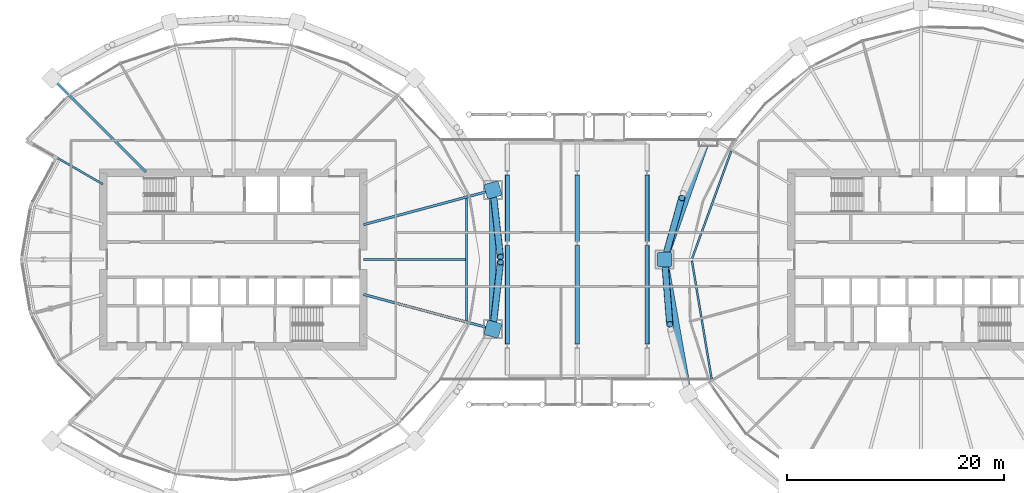
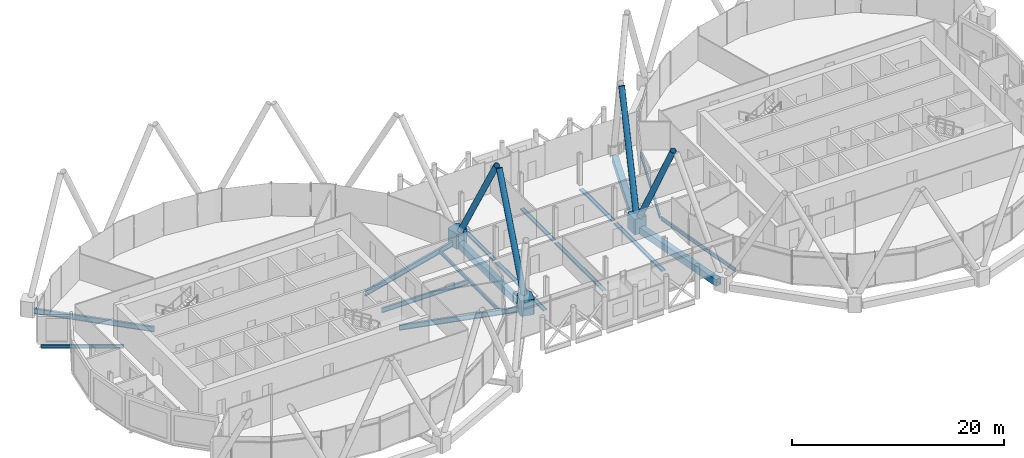
# One storey, part 8 of 35: 17 beams, 7 members.
"""IFC4 building model written with IfcOpenShell, lengths in metres."""

import ifcopenshell
import ifcopenshell.guid

model = None  # the IFC model being written
_history = None  # IfcOwnerHistory: only IFC2X3 demands one
_inside = {}  # id of a spatial element -> (the spatial element, [elements in it])
_under = {}  # id of a project, library or spatial element -> (it, [spatial elements below it])
_declared = {}  # id of a project -> (the project, [libraries it declares])
_typed = {}  # id of a type object -> (the type object, [elements of that type])
_made_of = {}  # id of a material, layer set ... -> (it, [elements and type objects made of it])


def new_model(schema):
    """Start an empty IFC model of exactly this schema.

    Asked for "IFC4X3", IfcOpenShell would pick the latest addendum, in which some entities
    have other attributes; the version numbers below select the first issue.
    IFC2X3 requires an IfcOwnerHistory on every rooted entity: one is made here for all.
    """
    global model, _history
    if schema == "IFC4X3":
        model = ifcopenshell.file(schema_version=(4, 3, 0, 0))
    else:
        model = ifcopenshell.file(schema=schema)
    _inside.clear()
    _under.clear()
    _declared.clear()
    _typed.clear()
    _made_of.clear()
    _history = None
    if model.schema == "IFC2X3":
        org = make("IfcOrganization", Name="unknown")
        user = make(
            "IfcPersonAndOrganization",
            ThePerson=make("IfcPerson", FamilyName="unknown"),
            TheOrganization=org,
        )
        app = make(
            "IfcApplication",
            ApplicationDeveloper=org,
            Version="unknown",
            ApplicationFullName="unknown",
            ApplicationIdentifier="unknown",
        )
        _history = make(
            "IfcOwnerHistory",
            OwningUser=user,
            OwningApplication=app,
            ChangeAction="ADDED",
            CreationDate=0,
        )
    return model


def make(cls, **values):
    """One entity of the class cls with the attributes given. An attribute that is None is left unset."""
    return model.create_entity(
        cls, **{name: value for name, value in values.items() if value is not None}
    )


def rooted(cls, **values):
    """An entity with a GlobalId (a new one), such as an element, a storey or a relation."""
    return make(cls, GlobalId=ifcopenshell.guid.new(), OwnerHistory=_history, **values)


def si_unit(unit_type, name, prefix=None):
    """IfcSIUnit, for example si_unit("LENGTHUNIT", "METRE", prefix="MILLI")."""
    return make("IfcSIUnit", UnitType=unit_type, Prefix=prefix, Name=name)


def assignment(units):
    """IfcUnitAssignment: the units of a project."""
    return None if units is None else make("IfcUnitAssignment", Units=units)


def point(xyz):
    """IfcCartesianPoint."""
    return None if xyz is None else make("IfcCartesianPoint", Coordinates=xyz)


def direction(xyz):
    """IfcDirection."""
    return None if xyz is None else make("IfcDirection", DirectionRatios=xyz)


def frame(location, z_axis=None, x_axis=None):
    """IfcAxis2Placement3D, a coordinate frame: its origin and axes. An axis left out is left unset."""
    return make(
        "IfcAxis2Placement3D",
        Location=point(location),
        Axis=direction(z_axis),
        RefDirection=direction(x_axis),
    )


def frame_2d(location, x_axis=None):
    """IfcAxis2Placement2D, a coordinate frame in the plane: its origin and x axis."""
    return make(
        "IfcAxis2Placement2D", Location=point(location), RefDirection=direction(x_axis)
    )


def origin():
    """The frame at (0, 0, 0) with its axes left unset."""
    return frame((0.0, 0.0, 0.0))


def origin_2d():
    """The frame at (0, 0) in the plane with its x axis left unset."""
    return frame_2d((0.0, 0.0))


def place(relative_to, where):
    """IfcLocalPlacement: puts the frame where relative to a parent placement (None: the world)."""
    return make(
        "IfcLocalPlacement", PlacementRelTo=relative_to, RelativePlacement=where
    )


def context(
    kind, dimensions, precision=None, world=None, true_north=None, identifier=None
):
    """IfcGeometricRepresentationContext, for example the 3D "Model" context."""
    return make(
        "IfcGeometricRepresentationContext",
        ContextIdentifier=identifier,
        ContextType=kind,
        CoordinateSpaceDimension=dimensions,
        Precision=precision,
        WorldCoordinateSystem=world,
        TrueNorth=true_north,
    )


def subcontext(parent, identifier, kind, view, scale=None):
    """IfcGeometricRepresentationSubContext, for example "Body" below "Model"."""
    return make(
        "IfcGeometricRepresentationSubContext",
        ContextIdentifier=identifier,
        ContextType=kind,
        ParentContext=parent,
        TargetScale=scale,
        TargetView=view,
    )


def project(units=None, contexts=None):
    """IfcProject with its units and contexts."""
    return rooted(
        "IfcProject",
        Name="project",
        RepresentationContexts=contexts,
        UnitsInContext=assignment(units),
    )


def spatial(cls, under=None, at=None, **own):
    """A site, building, storey or space (cls), placed at a placement, below another one or the project."""
    s = rooted(cls, ObjectPlacement=at, **own)
    if under is not None:
        _under.setdefault(under.id(), (under, []))[1].append(s)
    return s


def polyline(points):
    """IfcPolyline through the points."""
    return make("IfcPolyline", Points=[point(p) for p in points])


def profile(cls, at=None, kind="AREA", **sizes):
    """A parametric profile (cls). Its sizes go by their IFC names, for example OverallWidth=200.0."""
    return make(cls, ProfileType=kind, Position=at, **sizes)


def hollow_rectangle(**sizes):
    """IfcRectangleHollowProfileDef."""
    return profile("IfcRectangleHollowProfileDef", **sizes)


def hollow_circle(**sizes):
    """IfcCircleHollowProfileDef."""
    return profile("IfcCircleHollowProfileDef", **sizes)


def i_section(**sizes):
    """IfcIShapeProfileDef."""
    return profile("IfcIShapeProfileDef", **sizes)


def outline(outer, holes=None, kind="AREA"):
    """IfcArbitraryClosedProfileDef: a profile drawn as a closed curve; with holes, ...WithVoids."""
    if holes is None:
        return make("IfcArbitraryClosedProfileDef", ProfileType=kind, OuterCurve=outer)
    return make(
        "IfcArbitraryProfileDefWithVoids",
        ProfileType=kind,
        OuterCurve=outer,
        InnerCurves=holes,
    )


def extrude(swept, where, along, depth):
    """IfcExtrudedAreaSolid: the profile swept, set in the frame where, extruded along a direction by depth."""
    return make(
        "IfcExtrudedAreaSolid",
        SweptArea=swept,
        Position=where,
        ExtrudedDirection=direction(along),
        Depth=depth,
    )


def shape(context_of_items, identifier, shape_type, items):
    """IfcShapeRepresentation: the items that make up one representation, for example the "Body"."""
    return make(
        "IfcShapeRepresentation",
        ContextOfItems=context_of_items,
        RepresentationIdentifier=identifier,
        RepresentationType=shape_type,
        Items=items,
    )


def material(Name=None, Category=None):
    """IfcMaterial."""
    return make("IfcMaterial", Name=Name, Category=Category)


def material_profile(
    of_material, cross_section, Name=None, Category=None, Priority=None
):
    """IfcMaterialProfile: a cross section and its material."""
    return make(
        "IfcMaterialProfile",
        Name=Name,
        Material=of_material,
        Profile=cross_section,
        Priority=Priority,
        Category=Category,
    )


def profile_set(profiles, Name=None, composite=None):
    """IfcMaterialProfileSet."""
    return make(
        "IfcMaterialProfileSet",
        Name=Name,
        MaterialProfiles=profiles,
        CompositeProfile=composite,
    )


def made_of(thing, what):
    """Note that an element or type object is made of a material, layer set ...; save() writes the relation."""
    if what is not None:
        _made_of.setdefault(what.id(), (what, []))[1].append(thing)
    return thing


def type_object(cls, material=None, **own):
    """A type object (cls), such as IfcWallType, which elements share."""
    return made_of(rooted(cls, **own), material)


def element(
    cls,
    number,
    at=None,
    inside=None,
    cuts=None,
    type_object=None,
    material=None,
    context=None,
    identifier="Body",
    shape_type=None,
    held_by="IfcProductDefinitionShape",
    body=None,
    shapes=None,
    **own,
):
    """One element of the class cls, such as IfcWall. Its Tag is "e" and its number.

    at: its placement. inside: the storey or other place that contains it. cuts: it is an
    opening in that element (IfcRelVoidsElement). A single representation is given by context,
    identifier, shape_type and body (its items); several are given by shapes. held_by: the class
    of the entity that holds the representations. save() writes the other relations.
    """
    e = rooted(cls, Tag="e%d" % number, ObjectPlacement=at, **own)
    if body is not None:
        shapes = [shape(context, identifier, shape_type, body)]
    if shapes is not None:
        e.Representation = make(held_by, Representations=shapes)
    if inside is not None:
        _inside.setdefault(inside.id(), (inside, []))[1].append(e)
    if cuts is not None:
        rooted(
            "IfcRelVoidsElement", RelatingBuildingElement=cuts, RelatedOpeningElement=e
        )
    if type_object is not None:
        _typed.setdefault(type_object.id(), (type_object, []))[1].append(e)
    return made_of(e, material)


def aggregate(whole, parts):
    """IfcRelAggregates: a whole, such as a stair, and the parts it consists of."""
    return rooted("IfcRelAggregates", RelatingObject=whole, RelatedObjects=parts)


def save(model, path):
    """Write the relations noted so far, then the file.

    IfcRelAggregates (storeys below a building ...), IfcRelContainedInSpatialStructure (elements
    in a storey), IfcRelDefinesByType, IfcRelAssociatesMaterial and IfcRelDeclares: one each for
    every whole, place, type object, material and project.
    """
    for whole, parts in _under.values():
        aggregate(whole, parts)
    for where, things in _inside.values():
        rooted(
            "IfcRelContainedInSpatialStructure",
            RelatedElements=things,
            RelatingStructure=where,
        )
    for kind, things in _typed.values():
        rooted("IfcRelDefinesByType", RelatedObjects=things, RelatingType=kind)
    for what, things in _made_of.values():
        rooted("IfcRelAssociatesMaterial", RelatedObjects=things, RelatingMaterial=what)
    for by, libraries in _declared.values():
        rooted("IfcRelDeclares", RelatingContext=by, RelatedDefinitions=libraries)
    model.write(path)


model = new_model("IFC4")

# Units and contexts
model_context = context("Model", 3, precision=1e-05, world=origin(), true_north=direction((0.0, 1.0)))
body_context = subcontext(model_context, "Body", "Model", "MODEL_VIEW")
ifc_project = project(units=[si_unit("LENGTHUNIT", "METRE"), si_unit("AREAUNIT", "SQUARE_METRE"), si_unit("VOLUMEUNIT", "CUBIC_METRE"), si_unit("PLANEANGLEUNIT", "RADIAN"), si_unit("MASSUNIT", "GRAM", prefix="KILO")], contexts=[model_context])

# Site, building, storey
site_placement = place(None, origin())
site = spatial("IfcSite", under=ifc_project, at=site_placement, CompositionType="ELEMENT")
building_placement = place(site_placement, origin())
building = spatial("IfcBuilding", under=site, at=building_placement, Name="Rimbun Link Towers", CompositionType="ELEMENT")
storey_placement = place(building_placement, frame((0.0, 0.0, 146.800048828125)))
storey = spatial("IfcBuildingStorey", under=building, at=storey_placement, Name="L35", CompositionType="ELEMENT", Elevation=146.800048828125)

# Members
ifc_material_1 = material(Name="Steel S355J2H", Category="steel")
ifc_material_profile_1 = material_profile(ifc_material_1, hollow_circle(Radius=0.3046875, WallThickness=0.02490234375, at=origin_2d()), Name="Diagrid diagonal CHS 610x25")
ifc_profile_set_1 = profile_set([ifc_material_profile_1], Name="Steel S355J2H")
member_type_1 = type_object("IfcMemberType", Name="Diagrid diagonal CHS 610x25", PredefinedType="BRACE", material=ifc_profile_set_1)
for number, where, z_axis, x_axis, name in (
    (1, (-7.757080078125, 6.187744140625, 0.44091796875), (0.052446881444, -0.468144088903, 0.882094346797), (0.993782934456, 0.111334986342, 0.0), "Diagrid diagonal T1 L35-L38 01a"),
    (2, (-7.757080078125, -6.187744140625, 0.44091796875), (0.052446881444, 0.468144088903, 0.882094346797), (-0.993782934456, 0.111334986342, 0.0), "Diagrid diagonal T1 L35-L38 23b"),
):
    element("IfcMember", number, at=place(storey_placement, frame(where, z_axis=z_axis, x_axis=x_axis)), inside=storey, type_object=member_type_1, Name=name, PredefinedType="BRACE", context=body_context, shape_type="SweptSolid", body=[
        extrude(hollow_circle(Radius=0.3046875, WallThickness=0.02490234375, at=origin_2d()), origin(), (0.0, 0.0, 1.0), 12.717529296875),
    ])
member_1_placement = place(storey_placement, frame((8.129638671875, 0.217529296875, 0.446044921875), z_axis=(0.121506621517, 0.435251369799, 0.892071962353), x_axis=(-0.963172736787, 0.268883393148, 0.0)))
element("IfcMember", 3, at=member_1_placement, inside=storey, type_object=member_type_1, Name="Diagrid diagonal T2 L35-L38 09a", PredefinedType="BRACE", context=body_context, shape_type="SweptSolid", body=[
    extrude(hollow_circle(Radius=0.3046875, WallThickness=0.02490234375, at=origin_2d()), origin(), (0.0, 0.0, 1.0), 12.56396484375),
])
member_2_placement = place(storey_placement, frame((8.0869140625, -0.228271484375, 0.4443359375), z_axis=(0.036318281972, -0.456456531097, 0.889004171876), x_axis=(0.996849600254, 0.079315033085, 0.0)))
element("IfcMember", 4, at=member_2_placement, inside=storey, type_object=member_type_1, Name="Diagrid diagonal T2 L35-L38 09b", PredefinedType="BRACE", context=body_context, shape_type="SweptSolid", body=[
    extrude(hollow_circle(Radius=0.3046875, WallThickness=0.02490234375, at=origin_2d()), origin(), (0.0, 0.0, 1.0), 12.61083984375),
])
ifc_material_2 = material(Name="Cast steel G20Mn5+QT, Rp0.2 300 MPa", Category="steel")
ifc_material_profile_2 = material_profile(ifc_material_2, outline(polyline([(0.699951171875, -0.570068359375), (0.699951171875, 0.570068359375), (0.570068359375, 0.699951171875), (-0.570068359375, 0.699951171875), (-0.699951171875, 0.570068359375), (-0.699951171875, -0.570068359375), (-0.570068359375, -0.699951171875), (0.570068359375, -0.699951171875), (0.699951171875, -0.570068359375)])), Name="NODE 1400x1400")
ifc_profile_set_2 = profile_set([ifc_material_profile_2], Name="Cast steel G20Mn5+QT, Rp0.2 300 MPa")
member_type_2 = type_object("IfcMemberType", Name="Diagrid node cast 1400", PredefinedType="USERDEFINED", material=ifc_profile_set_2)
for number, where, z_axis, x_axis, name in (
    (5, (-7.783447265625, 6.421875, -0.900146484375), (0.0, 0.0, 1.0), (0.965925826289, 0.258819045103, 0.0), "Diagrid node L35 01"),
    (6, (-7.783447265625, -6.421875, -0.900146484375), (0.0, 0.0, 1.0), (0.965925826289, -0.258819045103, 0.0), "Diagrid node L35 23"),
    (7, (8.06884765625, 0.0, -0.900146484375), (0.0, 0.0, 1.0), (-1.0, 0.0, 0.0), "Diagrid node L35 09"),
):
    element("IfcMember", number, at=place(storey_placement, frame(where, z_axis=z_axis, x_axis=x_axis)), inside=storey, type_object=member_type_2, Name=name, ObjectType="Diagrid node", PredefinedType="USERDEFINED", context=body_context, shape_type="SweptSolid", body=[
        extrude(outline(polyline([(0.699951171875, -0.570068359375), (0.699951171875, 0.570068359375), (0.570068359375, 0.699951171875), (-0.570068359375, 0.699951171875), (-0.699951171875, 0.570068359375), (-0.699951171875, -0.570068359375), (-0.570068359375, -0.699951171875), (0.570068359375, -0.699951171875), (0.699951171875, -0.570068359375)])), origin(), (0.0, 0.0, 1.0), 1.800048828125),
    ])

# Beams
ifc_material_3 = material(Name="Steel S355J2", Category="steel")
ifc_material_profile_3 = material_profile(ifc_material_3, hollow_rectangle(XDim=0.60009765625, YDim=0.800048828125, WallThickness=0.0400390625, at=origin_2d()), Name="Exoskeleton ring girder BOX 600x800x40")
ifc_profile_set_3 = profile_set([ifc_material_profile_3], Name="Steel S355J2")
beam_type_1 = type_object("IfcBeamType", Name="Exoskeleton ring girder BOX 600x800x40", PredefinedType="BEAM", material=ifc_profile_set_3)
beam_1_placement = place(storey_placement, frame((-7.783447265625, -5.7216796875, -0.56005859375), z_axis=(0.0, 1.0, 0.0), x_axis=(-1.0, 0.0, 0.0)))
element("IfcBeam", 8, at=beam_1_placement, inside=storey, type_object=beam_type_1, Name="Exoskeleton ring girder L35 09", PredefinedType="BEAM", context=body_context, shape_type="SweptSolid", body=[
    extrude(hollow_rectangle(XDim=0.60009765625, YDim=0.800048828125, WallThickness=0.0400390625, at=origin_2d()), origin(), (0.0, 0.0, 1.0), 11.443359375),
])
beam_2_placement = place(storey_placement, frame((11.853271484375, 10.692626953125, -0.56005859375), z_axis=(-0.333640753003, -0.942700295924, 0.0), x_axis=(0.942700295924, -0.333640753003, 0.0)))
element("IfcBeam", 9, at=beam_2_placement, inside=storey, type_object=beam_type_1, Name="Exoskeleton ring girder L35 03", PredefinedType="BEAM", context=body_context, shape_type="SweptSolid", body=[
    extrude(hollow_rectangle(XDim=0.60009765625, YDim=0.800048828125, WallThickness=0.0400390625, at=origin_2d()), origin(), (0.0, 0.0, 1.0), 10.642578125),
])
beam_3_placement = place(storey_placement, frame((8.190673828125, -0.689208984375, -0.56005859375), z_axis=(0.174102463017, -0.984727542202, 0.0), x_axis=(0.984727542202, 0.174102463017, 0.0)))
element("IfcBeam", 10, at=beam_3_placement, inside=storey, type_object=beam_type_1, Name="Exoskeleton ring girder L35 04", PredefinedType="BEAM", context=body_context, shape_type="SweptSolid", body=[
    extrude(hollow_rectangle(XDim=0.60009765625, YDim=0.800048828125, WallThickness=0.0400390625, at=origin_2d()), origin(), (0.0, 0.0, 1.0), 11.19873046875),
])
ifc_material_4 = material(Name="Steel S355J2", Category="steel")
ifc_material_profile_4 = material_profile(ifc_material_4, i_section(OverallWidth=0.177978515625, OverallDepth=0.406494140625, WebThickness=0.0078125, FlangeThickness=0.0126953125, at=origin_2d()), Name="UKB 406x178x60")
ifc_profile_set_4 = profile_set([ifc_material_profile_4], Name="Steel S355J2")
beam_type_2 = type_object("IfcBeamType", Name="Link floor beam UKB 406x178x60", PredefinedType="BEAM", material=ifc_profile_set_4)
beam_4_placement = place(storey_placement, frame((-6.449951171875, -7.8125, -0.36328125), z_axis=(0.0, 1.0, 0.0), x_axis=(0.0, 0.0, 1.0)))
element("IfcBeam", 11, at=beam_4_placement, inside=storey, type_object=beam_type_2, Name="Link floor beam L35 01", PredefinedType="BEAM", context=body_context, shape_type="SweptSolid", body=[
    extrude(i_section(OverallWidth=0.177978515625, OverallDepth=0.406494140625, WebThickness=0.0078125, FlangeThickness=0.0126953125, at=origin_2d()), origin(), (0.0, 0.0, 1.0), 9.125244140625),
])
beam_5_placement = place(storey_placement, frame((-6.449951171875, 1.687255859375, -0.36328125), z_axis=(0.0, 1.0, 0.0), x_axis=(0.0, 0.0, 1.0)))
element("IfcBeam", 12, at=beam_5_placement, inside=storey, type_object=beam_type_2, Name="Link floor beam L35 02", PredefinedType="BEAM", context=body_context, shape_type="SweptSolid", body=[
    extrude(i_section(OverallWidth=0.177978515625, OverallDepth=0.406494140625, WebThickness=0.0078125, FlangeThickness=0.0126953125, at=origin_2d()), origin(), (0.0, 0.0, 1.0), 6.125244140625),
])
beam_6_placement = place(storey_placement, frame((0.0, -7.8125, -0.36328125), z_axis=(0.0, 1.0, 0.0), x_axis=(0.0, 0.0, 1.0)))
element("IfcBeam", 13, at=beam_6_placement, inside=storey, type_object=beam_type_2, Name="Link floor beam L35 05", PredefinedType="BEAM", context=body_context, shape_type="SweptSolid", body=[
    extrude(i_section(OverallWidth=0.177978515625, OverallDepth=0.406494140625, WebThickness=0.0078125, FlangeThickness=0.0126953125, at=origin_2d()), origin(), (0.0, 0.0, 1.0), 9.125244140625),
])
beam_7_placement = place(storey_placement, frame((0.0, 1.687255859375, -0.36328125), z_axis=(0.0, 1.0, 0.0), x_axis=(0.0, 0.0, 1.0)))
element("IfcBeam", 14, at=beam_7_placement, inside=storey, type_object=beam_type_2, Name="Link floor beam L35 06", PredefinedType="BEAM", context=body_context, shape_type="SweptSolid", body=[
    extrude(i_section(OverallWidth=0.177978515625, OverallDepth=0.406494140625, WebThickness=0.0078125, FlangeThickness=0.0126953125, at=origin_2d()), origin(), (0.0, 0.0, 1.0), 6.125244140625),
])
beam_8_placement = place(storey_placement, frame((6.449951171875, -7.8125, -0.36328125), z_axis=(0.0, 1.0, 0.0), x_axis=(0.0, 0.0, 1.0)))
element("IfcBeam", 15, at=beam_8_placement, inside=storey, type_object=beam_type_2, Name="Link floor beam L35 09", PredefinedType="BEAM", context=body_context, shape_type="SweptSolid", body=[
    extrude(i_section(OverallWidth=0.177978515625, OverallDepth=0.406494140625, WebThickness=0.0078125, FlangeThickness=0.0126953125, at=origin_2d()), origin(), (0.0, 0.0, 1.0), 9.125244140625),
])
beam_9_placement = place(storey_placement, frame((6.449951171875, 1.687255859375, -0.36328125), z_axis=(0.0, 1.0, 0.0), x_axis=(0.0, 0.0, 1.0)))
element("IfcBeam", 16, at=beam_9_placement, inside=storey, type_object=beam_type_2, Name="Link floor beam L35 10", PredefinedType="BEAM", context=body_context, shape_type="SweptSolid", body=[
    extrude(i_section(OverallWidth=0.177978515625, OverallDepth=0.406494140625, WebThickness=0.0078125, FlangeThickness=0.0126953125, at=origin_2d()), origin(), (0.0, 0.0, 1.0), 6.125244140625),
])
ifc_material_5 = material(Name="Steel S355J2", Category="steel")
ifc_material_profile_5 = material_profile(ifc_material_5, i_section(OverallWidth=0.177978515625, OverallDepth=0.406494140625, WebThickness=0.0078125, FlangeThickness=0.0126953125, at=origin_2d()), Name="UB 406x178x60")
ifc_profile_set_5 = profile_set([ifc_material_profile_5], Name="Steel S355J2")
beam_type_3 = type_object("IfcBeamType", Name="UB 406x178x60", PredefinedType="BEAM", material=ifc_profile_set_5)
beam_10_placement = place(storey_placement, frame((-43.79541015625, 6.954345703125, -0.38330078125), z_axis=(-0.866028250644, 0.499995069063, 0.0), x_axis=(-0.499995069063, -0.866028250644, 0.0)))
element("IfcBeam", 17, at=beam_10_placement, inside=storey, type_object=beam_type_3, Name="Radial beam T1 L35 10", PredefinedType="BEAM", context=body_context, shape_type="SweptSolid", body=[
    extrude(i_section(OverallWidth=0.177978515625, OverallDepth=0.406494140625, WebThickness=0.0078125, FlangeThickness=0.0126953125, at=origin_2d()), origin(), (0.0, 0.0, 1.0), 7.8037109375),
])
beam_11_placement = place(storey_placement, frame((-10.2041015625, -5.654296875, -0.38330078125), z_axis=(0.0, 1.0, 0.0), x_axis=(-1.0, 0.0, 0.0)))
element("IfcBeam", 18, at=beam_11_placement, inside=storey, type_object=beam_type_3, Name="Edge beam T1 L35 23-01", PredefinedType="BEAM", context=body_context, shape_type="SweptSolid", body=[
    extrude(i_section(OverallWidth=0.177978515625, OverallDepth=0.406494140625, WebThickness=0.0078125, FlangeThickness=0.0126953125, at=origin_2d()), origin(), (0.0, 0.0, 1.0), 11.30859375),
])
beam_12_placement = place(storey_placement, frame((14.22119140625, 10.009521484375, -0.38330078125), z_axis=(-0.342197228345, -0.939628148212, 0.0), x_axis=(0.939628148212, -0.342197228345, 0.0)))
element("IfcBeam", 19, at=beam_12_placement, inside=storey, type_object=beam_type_3, Name="Edge beam T2 L35 07-09", PredefinedType="BEAM", context=body_context, shape_type="SweptSolid", body=[
    extrude(i_section(OverallWidth=0.177978515625, OverallDepth=0.406494140625, WebThickness=0.0078125, FlangeThickness=0.0126953125, at=origin_2d()), origin(), (0.0, 0.0, 1.0), 10.530517578125),
])
beam_13_placement = place(storey_placement, frame((10.594970703125, -0.11474609375, -0.38330078125), z_axis=(0.16419526611, -0.986427855744, 0.0), x_axis=(0.986427855744, 0.16419526611, 0.0)))
element("IfcBeam", 20, at=beam_13_placement, inside=storey, type_object=beam_type_3, Name="Edge beam T2 L35 09-11", PredefinedType="BEAM", context=body_context, shape_type="SweptSolid", body=[
    extrude(i_section(OverallWidth=0.177978515625, OverallDepth=0.406494140625, WebThickness=0.0078125, FlangeThickness=0.0126953125, at=origin_2d()), origin(), (0.0, 0.0, 1.0), 11.077392578125),
])
ifc_material_6 = material(Name="Steel S355J2", Category="steel")
ifc_material_profile_6 = material_profile(ifc_material_6, i_section(OverallWidth=0.209228515625, OverallDepth=0.533203125, WebThickness=0.010009765625, FlangeThickness=0.015625, at=origin_2d()), Name="UB 533x210x92")
ifc_profile_set_6 = profile_set([ifc_material_profile_6], Name="Steel S355J2")
beam_type_4 = type_object("IfcBeamType", Name="UB 533x210x92", PredefinedType="BEAM", material=ifc_profile_set_6)
beam_14_placement = place(storey_placement, frame((-19.7490234375, 0.0, -0.446533203125), z_axis=(1.0, 0.0, 0.0), x_axis=(0.0, 1.0, 0.0)))
element("IfcBeam", 21, at=beam_14_placement, inside=storey, type_object=beam_type_4, Name="Radial beam T1 L35 00", PredefinedType="BEAM", context=body_context, shape_type="SweptSolid", body=[
    extrude(i_section(OverallWidth=0.209228515625, OverallDepth=0.533203125, WebThickness=0.010009765625, FlangeThickness=0.015625, at=origin_2d()), origin(), (0.0, 0.0, 1.0), 9.455078125),
])
ifc_material_7 = material(Name="Steel S355J2", Category="steel")
ifc_material_profile_7 = material_profile(ifc_material_7, i_section(OverallWidth=0.2275390625, OverallDepth=0.6025390625, WebThickness=0.010498046875, FlangeThickness=0.014892578125, at=origin_2d()), Name="UB 610x229x101")
ifc_profile_set_7 = profile_set([ifc_material_profile_7], Name="Steel S355J2")
beam_type_5 = type_object("IfcBeamType", Name="UB 610x229x101", PredefinedType="BEAM", material=ifc_profile_set_7)
beam_15_placement = place(storey_placement, frame((-19.719482421875, 3.223388671875, -0.4814453125), z_axis=(0.965920845969, 0.258837631196, 0.0), x_axis=(-0.258837631196, 0.965920845969, 0.0)))
element("IfcBeam", 22, at=beam_15_placement, inside=storey, type_object=beam_type_5, Name="Radial beam T1 L35 01", PredefinedType="BEAM", context=body_context, shape_type="SweptSolid", body=[
    extrude(i_section(OverallWidth=0.2275390625, OverallDepth=0.6025390625, WebThickness=0.010498046875, FlangeThickness=0.014892578125, at=origin_2d()), origin(), (0.0, 0.0, 1.0), 11.857177734375),
])
beam_16_placement = place(storey_placement, frame((-39.831298828125, 8.081298828125, -0.4814453125), z_axis=(-0.707106781187, 0.707106781187, 0.0), x_axis=(-0.707106781187, -0.707106781187, 0.0)))
element("IfcBeam", 23, at=beam_16_placement, inside=storey, type_object=beam_type_5, Name="Radial beam T1 L35 09", PredefinedType="BEAM", context=body_context, shape_type="SweptSolid", body=[
    extrude(i_section(OverallWidth=0.2275390625, OverallDepth=0.6025390625, WebThickness=0.010498046875, FlangeThickness=0.014892578125, at=origin_2d()), origin(), (0.0, 0.0, 1.0), 11.75244140625),
])
beam_17_placement = place(storey_placement, frame((-19.719482421875, -3.223388671875, -0.4814453125), z_axis=(0.965920845969, -0.258837631196, 0.0), x_axis=(0.258837631196, 0.965920845969, 0.0)))
element("IfcBeam", 24, at=beam_17_placement, inside=storey, type_object=beam_type_5, Name="Radial beam T1 L35 23", PredefinedType="BEAM", context=body_context, shape_type="SweptSolid", body=[
    extrude(i_section(OverallWidth=0.2275390625, OverallDepth=0.6025390625, WebThickness=0.010498046875, FlangeThickness=0.014892578125, at=origin_2d()), origin(), (0.0, 0.0, 1.0), 11.857177734375),
])

save(model, "model.ifc")
